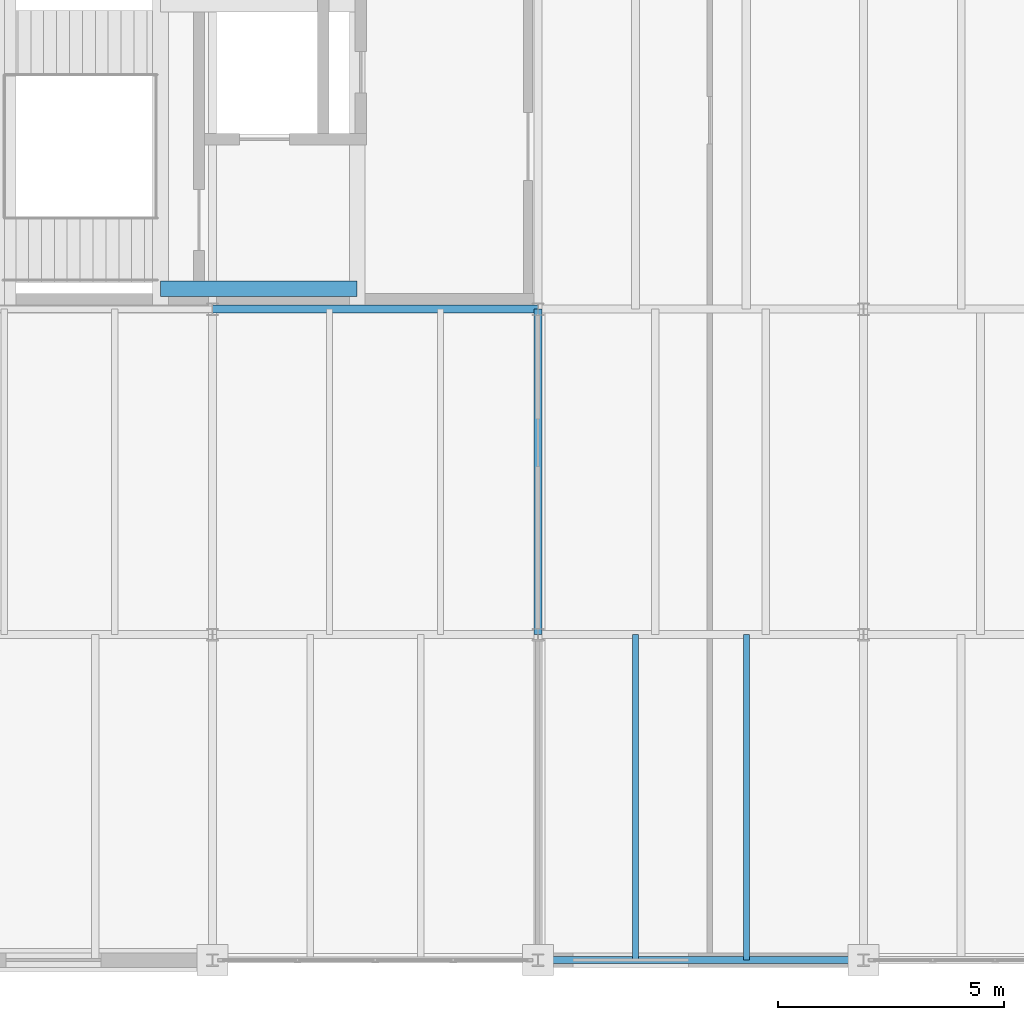
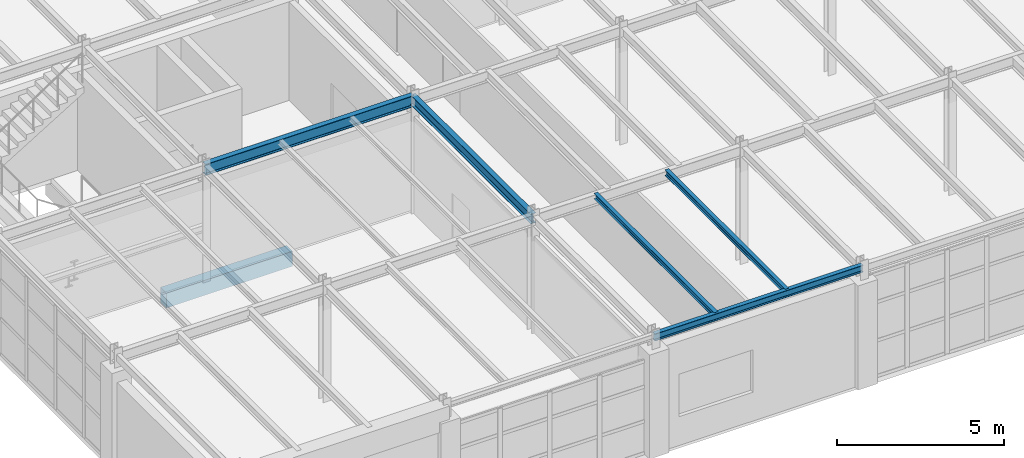
# One storey, part 15 of 101: 6 beams.
"""IFC4 building model written with IfcOpenShell, lengths in metres."""

from ifc_helpers import new_model, si_unit, direction, frame, origin, origin_2d, place, context, subcontext, project, spatial, rectangle, i_section, extrude, material, material_profile, profile_set, type_object, element, save


model = new_model("IFC4")

# Units and contexts
model_context = context("Model", 3, precision=1e-05, world=origin(), true_north=direction((0.0, 1.0)))
body_context = subcontext(model_context, "Body", "Model", "MODEL_VIEW")
ifc_project = project(units=[si_unit("LENGTHUNIT", "METRE"), si_unit("AREAUNIT", "SQUARE_METRE"), si_unit("VOLUMEUNIT", "CUBIC_METRE"), si_unit("PLANEANGLEUNIT", "RADIAN"), si_unit("MASSUNIT", "GRAM", prefix="KILO")], contexts=[model_context])

# Site, building, storey
site_placement = place(None, origin())
site = spatial("IfcSite", under=ifc_project, at=site_placement, CompositionType="ELEMENT")
building_placement = place(site_placement, origin())
building = spatial("IfcBuilding", under=site, at=building_placement, Name="Kemerveld Promenade Tramway Depot", CompositionType="ELEMENT")
storey_placement = place(building_placement, frame((0.0, 0.0, 9.89990234375)))
storey = spatial("IfcBuildingStorey", under=building, at=storey_placement, Name="L02", CompositionType="ELEMENT", Elevation=9.89990234375)

# Beams
ifc_material_1 = material(Name="Steel S355", Category="steel")
ifc_material_profile_1 = material_profile(ifc_material_1, i_section(OverallWidth=0.1787109375, OverallDepth=0.409423828125, WebThickness=0.0087890625, FlangeThickness=0.014404296875, FilletRadius=0.01025390625, at=origin_2d()), Name="406x178x67 UB")
ifc_profile_set_1 = profile_set([ifc_material_profile_1], Name="Steel S355")
beam_type_1 = type_object("IfcBeamType", Name="BM-G07", PredefinedType="BEAM", material=ifc_profile_set_1)
beam_1_placement = place(storey_placement, frame((7.199951171875, 14.39990234375, 4.075439453125), z_axis=(1.0, 0.0, 0.0), x_axis=(0.0, 1.0, 0.0)))
element("IfcBeam", 1, at=beam_1_placement, inside=storey, type_object=beam_type_1, Name="BMX-L02-02-03-C", PredefinedType="BEAM", context=body_context, shape_type="SweptSolid", body=[
    extrude(i_section(OverallWidth=0.1787109375, OverallDepth=0.409423828125, WebThickness=0.0087890625, FlangeThickness=0.014404296875, FilletRadius=0.01025390625, at=origin_2d()), origin(), (0.0, 0.0, 1.0), 7.199951171875),
])
ifc_material_profile_2 = material_profile(ifc_material_1, i_section(OverallWidth=0.172119140625, OverallDepth=0.35791015625, WebThickness=0.008056640625, FlangeThickness=0.012939453125, FilletRadius=0.01025390625, at=origin_2d()), Name="356x171x57 UB")
ifc_profile_set_2 = profile_set([ifc_material_profile_2], Name="Steel S355")
beam_type_2 = type_object("IfcBeamType", Name="BM-G08", PredefinedType="BEAM", material=ifc_profile_set_2)
beam_2_placement = place(storey_placement, frame((14.39990234375, 7.199951171875, 4.10107421875), z_axis=(0.0, 1.0, 0.0), x_axis=(-1.0, 0.0, 0.0)))
element("IfcBeam", 2, at=beam_2_placement, inside=storey, type_object=beam_type_2, Name="BMY-L02-03-B-C", PredefinedType="BEAM", context=body_context, shape_type="SweptSolid", body=[
    extrude(i_section(OverallWidth=0.172119140625, OverallDepth=0.35791015625, WebThickness=0.008056640625, FlangeThickness=0.012939453125, FilletRadius=0.01025390625, at=origin_2d()), origin(), (0.0, 0.0, 1.0), 7.199951171875),
])
ifc_material_profile_3 = material_profile(ifc_material_1, i_section(OverallWidth=0.146484375, OverallDepth=0.256103515625, WebThickness=0.00634765625, FlangeThickness=0.010986328125, FilletRadius=0.007568359375, at=origin_2d()), Name="254x146x37 UB")
ifc_profile_set_3 = profile_set([ifc_material_profile_3], Name="Steel S355")
beam_type_3 = type_object("IfcBeamType", Name="BM-G15", PredefinedType="BEAM", material=ifc_profile_set_3)
beam_3_placement = place(storey_placement, frame((14.39990234375, 0.0, 4.156982421875), z_axis=(1.0, 0.0, 0.0), x_axis=(0.0, 1.0, 0.0)))
element("IfcBeam", 3, at=beam_3_placement, inside=storey, type_object=beam_type_3, Name="BMX-L02-03-04-A", PredefinedType="BEAM", context=body_context, shape_type="SweptSolid", body=[
    extrude(i_section(OverallWidth=0.146484375, OverallDepth=0.256103515625, WebThickness=0.00634765625, FlangeThickness=0.010986328125, FilletRadius=0.007568359375, at=origin_2d()), origin(), (0.0, 0.0, 1.0), 7.2001953125),
])
ifc_material_profile_4 = material_profile(ifc_material_1, i_section(OverallWidth=0.13330078125, OverallDepth=0.203125, WebThickness=0.005615234375, FlangeThickness=0.0078125, FilletRadius=0.007568359375, at=origin_2d()), Name="203x133x25 UB")
ifc_profile_set_4 = profile_set([ifc_material_profile_4], Name="Steel S355")
beam_type_4 = type_object("IfcBeamType", Name="BM-J03", PredefinedType="JOIST", material=ifc_profile_set_4)
for number, where, z_axis, x_axis, name in (
    (4, (16.56005859375, 0.0, 4.18359375), (0.0, 1.0, 0.0), (-1.0, 0.0, 0.0), "JST-L02-03-A-1"),
    (5, (19.008056640625, 0.0, 4.18359375), (0.0, 1.0, 0.0), (-1.0, 0.0, 0.0), "JST-L02-03-A-2"),
):
    element("IfcBeam", number, at=place(storey_placement, frame(where, z_axis=z_axis, x_axis=x_axis)), inside=storey, type_object=beam_type_4, Name=name, PredefinedType="JOIST", context=body_context, shape_type="SweptSolid", body=[
        extrude(i_section(OverallWidth=0.13330078125, OverallDepth=0.203125, WebThickness=0.005615234375, FlangeThickness=0.0078125, FilletRadius=0.007568359375, at=origin_2d()), origin(), (0.0, 0.0, 1.0), 7.199951171875),
    ])
ifc_material_2 = material(Name="Concrete C40/50", Category="concrete")
ifc_material_profile_5 = material_profile(ifc_material_2, rectangle(XDim=0.35009765625, YDim=0.550048828125, at=origin_2d()), Name="RC-BM-350x550")
ifc_profile_set_5 = profile_set([ifc_material_profile_5], Name="Concrete C40/50")
beam_type_5 = type_object("IfcBeamType", Name="BM-RC3", PredefinedType="BEAM", material=ifc_profile_set_5)
beam_4_placement = place(storey_placement, frame((6.050048828125, 14.85009765625, -0.5048828125), z_axis=(1.0, 0.0, 0.0), x_axis=(0.0, 1.0, 0.0)))
element("IfcBeam", 6, at=beam_4_placement, inside=storey, type_object=beam_type_5, Name="BM-COREX-C1-L02-S", PredefinedType="BEAM", context=body_context, shape_type="SweptSolid", body=[
    extrude(rectangle(XDim=0.35009765625, YDim=0.550048828125, at=origin_2d()), origin(), (0.0, 0.0, 1.0), 4.349853515625),
])

save(model, "model.ifc")
